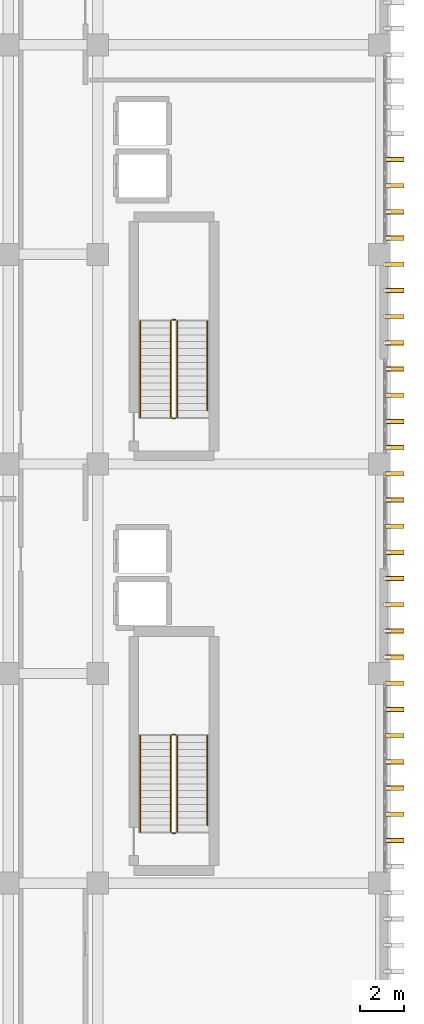
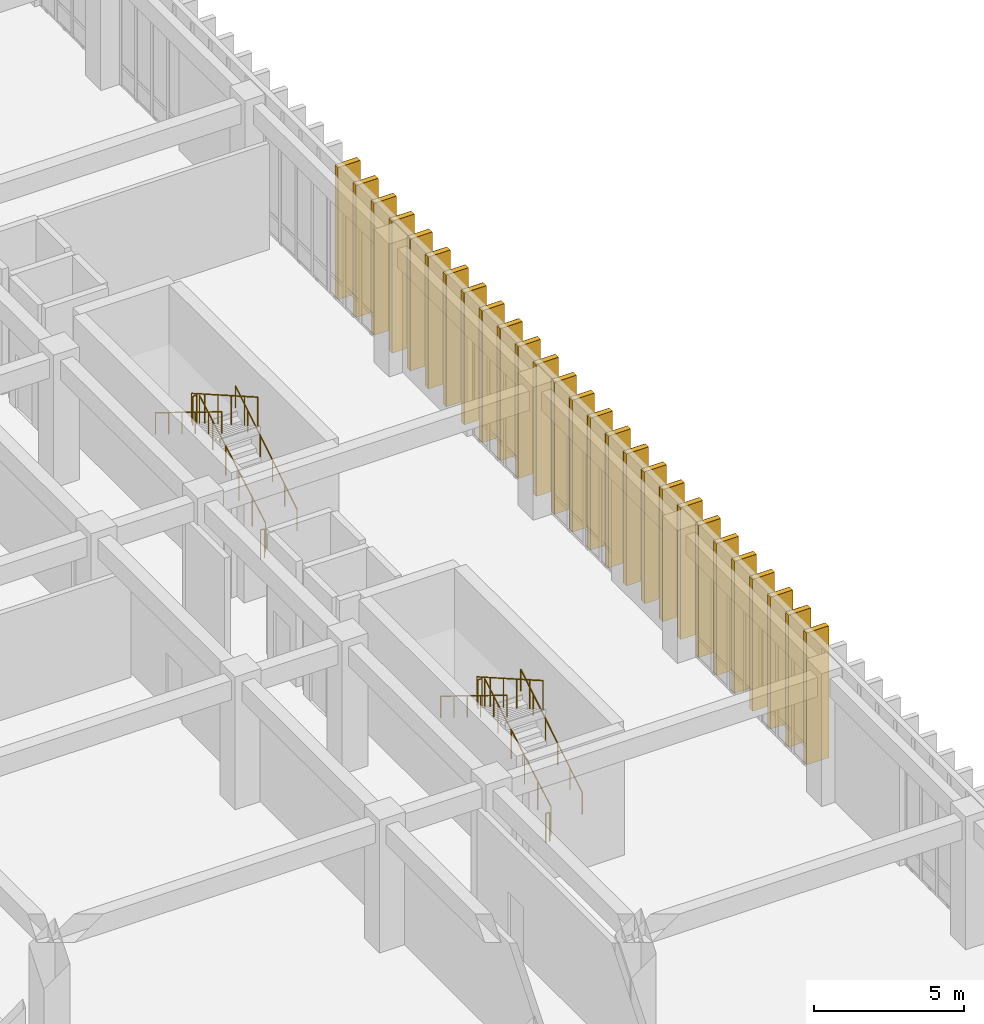
# One storey, part 130 of 134: 27 coverings, 27 shading devices, 12 railings.
"""IFC4 building model written with IfcOpenShell, lengths in metres."""

from ifc_helpers import new_model, si_unit, direction, frame, origin, origin_2d, place, context, subcontext, project, spatial, rectangle, circle, extrude, material, layer, layer_set, type_object, element, save


model = new_model("IFC4")

# Units and contexts
model_context = context("Model", 3, precision=1e-05, world=origin(), true_north=direction((0.0, 1.0)))
body_context = subcontext(model_context, "Body", "Model", "MODEL_VIEW")
ifc_project = project(units=[si_unit("LENGTHUNIT", "METRE"), si_unit("AREAUNIT", "SQUARE_METRE"), si_unit("VOLUMEUNIT", "CUBIC_METRE"), si_unit("PLANEANGLEUNIT", "RADIAN"), si_unit("MASSUNIT", "GRAM", prefix="KILO")], contexts=[model_context])

# Site, building, storey
site_placement = place(None, origin())
site = spatial("IfcSite", under=ifc_project, at=site_placement, CompositionType="ELEMENT")
building_placement = place(site_placement, origin())
building = spatial("IfcBuilding", under=site, at=building_placement, Name="Nakhvara Creek Congress Hotel", CompositionType="ELEMENT")
storey_placement = place(building_placement, frame((0.0, 0.0, 6.0)))
storey = spatial("IfcBuildingStorey", under=building, at=storey_placement, Name="L01", CompositionType="ELEMENT", Elevation=6.0)

# Coverings
ifc_material_1 = material(Name="Honed pale Omani limestone architectural cladding", Category="masonry")
ifc_layer = layer(ifc_material_1, 0.219970703125)
ifc_layer_set = layer_set([ifc_layer], Name="Honed pale Omani limestone architectural cladding")
covering_type = type_object("IfcCoveringType", Name="COV-FIN-850", PredefinedType="CLADDING", material=ifc_layer_set)
for number, where, z_axis, x_axis, name in (
    (1, (180.054931640625, 30.75, 0.0), (0.0, 0.0, 1.0), (0.0, 1.0, 0.0), "Pale Limestone Fin Cladding CF01-0702"),
    (2, (180.054931640625, 31.949951171875, 0.0), (0.0, 0.0, 1.0), (0.0, 1.0, 0.0), "Pale Limestone Fin Cladding CF01-0703"),
    (3, (180.054931640625, 33.14990234375, 0.0), (0.0, 0.0, 1.0), (0.0, 1.0, 0.0), "Pale Limestone Fin Cladding CF01-0704"),
    (4, (180.054931640625, 34.35009765625, 0.0), (0.0, 0.0, 1.0), (0.0, 1.0, 0.0), "Pale Limestone Fin Cladding CF01-0705"),
    (5, (180.054931640625, 35.550048828125, 0.0), (0.0, 0.0, 1.0), (0.0, 1.0, 0.0), "Pale Limestone Fin Cladding CF01-0706"),
    (6, (180.054931640625, 36.75, 0.0), (0.0, 0.0, 1.0), (0.0, 1.0, 0.0), "Pale Limestone Fin Cladding CF01-0707"),
    (7, (180.054931640625, 37.949951171875, 0.0), (0.0, 0.0, 1.0), (0.0, 1.0, 0.0), "Pale Limestone Fin Cladding CF01-0708"),
    (8, (180.054931640625, 39.14990234375, 0.0), (0.0, 0.0, 1.0), (0.0, 1.0, 0.0), "Pale Limestone Fin Cladding CF01-0709"),
    (9, (180.054931640625, 40.35009765625, 0.0), (0.0, 0.0, 1.0), (0.0, 1.0, 0.0), "Pale Limestone Fin Cladding CF01-0710"),
    (10, (180.054931640625, 41.550048828125, 0.0), (0.0, 0.0, 1.0), (0.0, 1.0, 0.0), "Pale Limestone Fin Cladding CF01-0711"),
    (11, (180.054931640625, 42.75, 0.0), (0.0, 0.0, 1.0), (0.0, 1.0, 0.0), "Pale Limestone Fin Cladding CF01-0712"),
    (12, (180.054931640625, 43.949951171875, 0.0), (0.0, 0.0, 1.0), (0.0, 1.0, 0.0), "Pale Limestone Fin Cladding CF01-0713"),
    (13, (180.054931640625, 45.14990234375, 0.0), (0.0, 0.0, 1.0), (0.0, 1.0, 0.0), "Pale Limestone Fin Cladding CF01-0714"),
    (14, (180.054931640625, 46.35009765625, 0.0), (0.0, 0.0, 1.0), (0.0, 1.0, 0.0), "Pale Limestone Fin Cladding CF01-0715"),
    (15, (180.054931640625, 47.550048828125, 0.0), (0.0, 0.0, 1.0), (0.0, 1.0, 0.0), "Pale Limestone Fin Cladding CF01-0716"),
    (16, (180.054931640625, 48.75, 0.0), (0.0, 0.0, 1.0), (0.0, 1.0, 0.0), "Pale Limestone Fin Cladding CF01-0717"),
    (17, (180.054931640625, 49.949951171875, 0.0), (0.0, 0.0, 1.0), (0.0, 1.0, 0.0), "Pale Limestone Fin Cladding CF01-0718"),
    (18, (180.054931640625, 51.14990234375, 0.0), (0.0, 0.0, 1.0), (0.0, 1.0, 0.0), "Pale Limestone Fin Cladding CF01-0719"),
    (19, (180.054931640625, 52.35009765625, 0.0), (0.0, 0.0, 1.0), (0.0, 1.0, 0.0), "Pale Limestone Fin Cladding CF01-0720"),
    (20, (180.054931640625, 53.550048828125, 0.0), (0.0, 0.0, 1.0), (0.0, 1.0, 0.0), "Pale Limestone Fin Cladding CF01-0721"),
    (21, (180.054931640625, 54.75, 0.0), (0.0, 0.0, 1.0), (0.0, 1.0, 0.0), "Pale Limestone Fin Cladding CF01-0722"),
    (22, (180.054931640625, 55.949951171875, 0.0), (0.0, 0.0, 1.0), (0.0, 1.0, 0.0), "Pale Limestone Fin Cladding CF01-0723"),
    (23, (180.054931640625, 57.14990234375, 0.0), (0.0, 0.0, 1.0), (0.0, 1.0, 0.0), "Pale Limestone Fin Cladding CF01-0724"),
    (24, (180.054931640625, 58.35009765625, 0.0), (0.0, 0.0, 1.0), (0.0, 1.0, 0.0), "Pale Limestone Fin Cladding CF01-0725"),
    (25, (180.054931640625, 59.550048828125, 0.0), (0.0, 0.0, 1.0), (0.0, 1.0, 0.0), "Pale Limestone Fin Cladding CF01-0726"),
    (26, (180.054931640625, 60.75, 0.0), (0.0, 0.0, 1.0), (0.0, 1.0, 0.0), "Pale Limestone Fin Cladding CF01-0727"),
    (27, (180.054931640625, 61.949951171875, 0.0), (0.0, 0.0, 1.0), (0.0, 1.0, 0.0), "Pale Limestone Fin Cladding CF01-0728"),
):
    element("IfcCovering", number, at=place(storey_placement, frame(where, z_axis=z_axis, x_axis=x_axis)), inside=storey, type_object=covering_type, Name=name, PredefinedType="CLADDING", context=body_context, shape_type="SweptSolid", body=[
        extrude(rectangle(XDim=0.219970703125, YDim=0.85009765625, at=origin_2d()), origin(), (0.0, 0.0, 1.0), 5.360107421875),
    ])

# Railings
ifc_material_2 = material(Name="Brushed stainless steel 316L", Category="steel")
railing_type_1 = type_object("IfcRailingType", Name="RL-GUARD-1200", PredefinedType="GUARDRAIL", material=ifc_material_2)
railing_1_placement = place(storey_placement, frame((170.0849609375, 31.139892578125, 0.179931640625)))
element("IfcRailing", 28, at=railing_1_placement, inside=storey, type_object=railing_type_1, Name="L01 ST03 stair guard 1", PredefinedType="GUARDRAIL", context=body_context, shape_type="SweptSolid", body=[
    extrude(circle(Radius=0.02392578125, at=origin_2d()), frame((0.0, 0.0126953125, 1.18310546875), z_axis=(0.0, 0.868249057775, 0.496128585825), x_axis=(-1.0, 0.0, 0.0)), (0.0, 0.0, 1.0), 5.050048828125),
    extrude(circle(Radius=0.02099609375, at=origin_2d()), origin(), (0.0, 0.0, 1.0), 1.1806640625),
    extrude(circle(Radius=0.02099609375, at=origin_2d()), frame((0.0, 0.882080078125, 0.50390625)), (0.0, 0.0, 1.0), 1.1806640625),
    extrude(circle(Radius=0.02099609375, at=origin_2d()), frame((0.0, 1.76416015625, 1.008056640625)), (0.0, 0.0, 1.0), 1.1806640625),
    extrude(circle(Radius=0.02099609375, at=origin_2d()), frame((0.0, 2.64599609375, 1.511962890625)), (0.0, 0.0, 1.0), 1.1806640625),
    extrude(circle(Radius=0.02099609375, at=origin_2d()), frame((0.0, 3.528076171875, 2.01611328125)), (0.0, 0.0, 1.0), 1.1806640625),
    extrude(circle(Radius=0.02099609375, at=origin_2d()), frame((0.0, 4.41015625, 2.52001953125)), (0.0, 0.0, 1.0), 1.1806640625),
])
railing_2_placement = place(storey_placement, frame((170.010009765625, 35.60009765625, 2.699951171875)))
element("IfcRailing", 29, at=railing_2_placement, inside=storey, type_object=railing_type_1, Name="L01 ST03 stair guard 2", PredefinedType="GUARDRAIL", context=body_context, shape_type="SweptSolid", body=[
    extrude(circle(Radius=0.02392578125, at=origin_2d()), frame((-0.0146484375, 0.0, 1.17578125), z_axis=(-1.0, 0.0, 0.0), x_axis=(0.0, -1.0, 0.0)), (0.0, 0.0, 1.0), 0.12060546875),
    extrude(circle(Radius=0.02099609375, at=origin_2d()), origin(), (0.0, 0.0, 1.0), 1.1806640625),
    extrude(circle(Radius=0.02099609375, at=origin_2d()), frame((-0.14990234375, 0.0, 0.0)), (0.0, 0.0, 1.0), 1.1806640625),
])
railing_3_placement = place(storey_placement, frame((169.784912109375, 35.550048828125, 2.8798828125)))
element("IfcRailing", 30, at=railing_3_placement, inside=storey, type_object=railing_type_1, Name="L01 ST03 stair guard 3", PredefinedType="GUARDRAIL", context=body_context, shape_type="SweptSolid", body=[
    extrude(circle(Radius=0.02392578125, at=origin_2d()), frame((0.0, -0.0126953125, 1.18310546875), z_axis=(0.0, -0.868249057775, 0.496128585825), x_axis=(1.0, 0.0, 0.0)), (0.0, 0.0, 1.0), 5.050048828125),
    extrude(circle(Radius=0.02099609375, at=origin_2d()), origin(), (0.0, 0.0, 1.0), 1.1806640625),
    extrude(circle(Radius=0.02099609375, at=origin_2d()), frame((0.0, -0.882080078125, 0.50390625)), (0.0, 0.0, 1.0), 1.1806640625),
    extrude(circle(Radius=0.02099609375, at=origin_2d()), frame((0.0, -1.76416015625, 1.008056640625)), (0.0, 0.0, 1.0), 1.1806640625),
    extrude(circle(Radius=0.02099609375, at=origin_2d()), frame((0.0, -2.64599609375, 1.511962890625)), (0.0, 0.0, 1.0), 1.1806640625),
    extrude(circle(Radius=0.02099609375, at=origin_2d()), frame((0.0, -3.528076171875, 2.01611328125)), (0.0, 0.0, 1.0), 1.1806640625),
    extrude(circle(Radius=0.02099609375, at=origin_2d()), frame((0.0, -4.41015625, 2.52001953125)), (0.0, 0.0, 1.0), 1.1806640625),
])
railing_4_placement = place(storey_placement, frame((170.010009765625, 31.090087890625, 0.0)))
element("IfcRailing", 31, at=railing_4_placement, inside=storey, type_object=railing_type_1, Name="L01 ST03 stair guard 4", PredefinedType="GUARDRAIL", context=body_context, shape_type="SweptSolid", body=[
    extrude(circle(Radius=0.02392578125, at=origin_2d()), frame((-0.0146484375, 0.0, 1.17578125), z_axis=(-1.0, 0.0, 0.0), x_axis=(0.0, -1.0, 0.0)), (0.0, 0.0, 1.0), 0.12060546875),
    extrude(circle(Radius=0.02099609375, at=origin_2d()), origin(), (0.0, 0.0, 1.0), 1.1806640625),
    extrude(circle(Radius=0.02099609375, at=origin_2d()), frame((-0.14990234375, 0.0, 0.0)), (0.0, 0.0, 1.0), 1.1806640625),
])
railing_5_placement = place(storey_placement, frame((170.0849609375, 50.139892578125, 0.179931640625)))
element("IfcRailing", 32, at=railing_5_placement, inside=storey, type_object=railing_type_1, Name="L01 ST04 stair guard 1", PredefinedType="GUARDRAIL", context=body_context, shape_type="SweptSolid", body=[
    extrude(circle(Radius=0.02392578125, at=origin_2d()), frame((0.0, 0.0126953125, 1.18310546875), z_axis=(0.0, 0.868249057775, 0.496128585825), x_axis=(-1.0, 0.0, 0.0)), (0.0, 0.0, 1.0), 5.050048828125),
    extrude(circle(Radius=0.02099609375, at=origin_2d()), origin(), (0.0, 0.0, 1.0), 1.1806640625),
    extrude(circle(Radius=0.02099609375, at=origin_2d()), frame((0.0, 0.882080078125, 0.50390625)), (0.0, 0.0, 1.0), 1.1806640625),
    extrude(circle(Radius=0.02099609375, at=origin_2d()), frame((0.0, 1.76416015625, 1.008056640625)), (0.0, 0.0, 1.0), 1.1806640625),
    extrude(circle(Radius=0.02099609375, at=origin_2d()), frame((0.0, 2.64599609375, 1.511962890625)), (0.0, 0.0, 1.0), 1.1806640625),
    extrude(circle(Radius=0.02099609375, at=origin_2d()), frame((0.0, 3.528076171875, 2.01611328125)), (0.0, 0.0, 1.0), 1.1806640625),
    extrude(circle(Radius=0.02099609375, at=origin_2d()), frame((0.0, 4.41015625, 2.52001953125)), (0.0, 0.0, 1.0), 1.1806640625),
])
railing_6_placement = place(storey_placement, frame((170.010009765625, 54.60009765625, 2.699951171875)))
element("IfcRailing", 33, at=railing_6_placement, inside=storey, type_object=railing_type_1, Name="L01 ST04 stair guard 2", PredefinedType="GUARDRAIL", context=body_context, shape_type="SweptSolid", body=[
    extrude(circle(Radius=0.02392578125, at=origin_2d()), frame((-0.0146484375, 0.0, 1.17578125), z_axis=(-1.0, 0.0, 0.0), x_axis=(0.0, -1.0, 0.0)), (0.0, 0.0, 1.0), 0.12060546875),
    extrude(circle(Radius=0.02099609375, at=origin_2d()), origin(), (0.0, 0.0, 1.0), 1.1806640625),
    extrude(circle(Radius=0.02099609375, at=origin_2d()), frame((-0.14990234375, 0.0, 0.0)), (0.0, 0.0, 1.0), 1.1806640625),
])
railing_7_placement = place(storey_placement, frame((169.784912109375, 54.550048828125, 2.8798828125)))
element("IfcRailing", 34, at=railing_7_placement, inside=storey, type_object=railing_type_1, Name="L01 ST04 stair guard 3", PredefinedType="GUARDRAIL", context=body_context, shape_type="SweptSolid", body=[
    extrude(circle(Radius=0.02392578125, at=origin_2d()), frame((0.0, -0.0126953125, 1.18310546875), z_axis=(0.0, -0.868249057775, 0.496128585825), x_axis=(1.0, 0.0, 0.0)), (0.0, 0.0, 1.0), 5.050048828125),
    extrude(circle(Radius=0.02099609375, at=origin_2d()), origin(), (0.0, 0.0, 1.0), 1.1806640625),
    extrude(circle(Radius=0.02099609375, at=origin_2d()), frame((0.0, -0.882080078125, 0.50390625)), (0.0, 0.0, 1.0), 1.1806640625),
    extrude(circle(Radius=0.02099609375, at=origin_2d()), frame((0.0, -1.76416015625, 1.008056640625)), (0.0, 0.0, 1.0), 1.1806640625),
    extrude(circle(Radius=0.02099609375, at=origin_2d()), frame((0.0, -2.64599609375, 1.511962890625)), (0.0, 0.0, 1.0), 1.1806640625),
    extrude(circle(Radius=0.02099609375, at=origin_2d()), frame((0.0, -3.528076171875, 2.01611328125)), (0.0, 0.0, 1.0), 1.1806640625),
    extrude(circle(Radius=0.02099609375, at=origin_2d()), frame((0.0, -4.41015625, 2.52001953125)), (0.0, 0.0, 1.0), 1.1806640625),
])
railing_8_placement = place(storey_placement, frame((170.010009765625, 50.090087890625, 0.0)))
element("IfcRailing", 35, at=railing_8_placement, inside=storey, type_object=railing_type_1, Name="L01 ST04 stair guard 4", PredefinedType="GUARDRAIL", context=body_context, shape_type="SweptSolid", body=[
    extrude(circle(Radius=0.02392578125, at=origin_2d()), frame((-0.0146484375, 0.0, 1.17578125), z_axis=(-1.0, 0.0, 0.0), x_axis=(0.0, -1.0, 0.0)), (0.0, 0.0, 1.0), 0.12060546875),
    extrude(circle(Radius=0.02099609375, at=origin_2d()), origin(), (0.0, 0.0, 1.0), 1.1806640625),
    extrude(circle(Radius=0.02099609375, at=origin_2d()), frame((-0.14990234375, 0.0, 0.0)), (0.0, 0.0, 1.0), 1.1806640625),
])
railing_type_2 = type_object("IfcRailingType", Name="RL-HAND-900", PredefinedType="HANDRAIL", material=ifc_material_2)
railing_9_placement = place(storey_placement, frame((171.47509765625, 31.455078125, 0.360107421875)))
element("IfcRailing", 36, at=railing_9_placement, inside=storey, type_object=railing_type_2, Name="L01 ST03 stair handrail 1", PredefinedType="HANDRAIL", context=body_context, shape_type="SweptSolid", body=[
    extrude(circle(Radius=0.02392578125, at=origin_2d()), frame((0.0, 0.012451171875, 0.883544921875), z_axis=(0.0, 0.850634571024, 0.52575738376), x_axis=(-1.0, 0.0, 0.0)), (0.0, 0.0, 1.0), 4.78466796875),
    extrude(circle(Radius=0.02099609375, at=origin_2d()), origin(), (0.0, 0.0, 1.0), 0.880615234375),
    extrude(circle(Radius=0.02099609375, at=origin_2d()), frame((0.0, 0.819091796875, 0.506103515625)), (0.0, 0.0, 1.0), 0.880615234375),
    extrude(circle(Radius=0.02099609375, at=origin_2d()), frame((0.0, 1.637939453125, 1.012451171875)), (0.0, 0.0, 1.0), 0.880615234375),
    extrude(circle(Radius=0.02099609375, at=origin_2d()), frame((0.0, 2.45703125, 1.5185546875)), (0.0, 0.0, 1.0), 0.880615234375),
    extrude(circle(Radius=0.02099609375, at=origin_2d()), frame((0.0, 3.27587890625, 2.02490234375)), (0.0, 0.0, 1.0), 0.880615234375),
    extrude(circle(Radius=0.02099609375, at=origin_2d()), frame((0.0, 4.094970703125, 2.531005859375)), (0.0, 0.0, 1.0), 0.880615234375),
])
railing_10_placement = place(storey_placement, frame((168.39501953125, 35.550048828125, 2.8798828125)))
element("IfcRailing", 37, at=railing_10_placement, inside=storey, type_object=railing_type_2, Name="L01 ST03 stair handrail 2", PredefinedType="HANDRAIL", context=body_context, shape_type="SweptSolid", body=[
    extrude(circle(Radius=0.02392578125, at=origin_2d()), frame((0.0, -0.012451171875, 0.883544921875), z_axis=(0.0, -0.851896254754, 0.523710579553), x_axis=(1.0, 0.0, 0.0)), (0.0, 0.0, 1.0), 5.1474609375),
    extrude(circle(Radius=0.02099609375, at=origin_2d()), origin(), (0.0, 0.0, 1.0), 0.880615234375),
    extrude(circle(Radius=0.02099609375, at=origin_2d()), frame((0.0, -0.882080078125, 0.542236328125)), (0.0, 0.0, 1.0), 0.880615234375),
    extrude(circle(Radius=0.02099609375, at=origin_2d()), frame((0.0, -1.76416015625, 1.08447265625)), (0.0, 0.0, 1.0), 0.880615234375),
    extrude(circle(Radius=0.02099609375, at=origin_2d()), frame((0.0, -2.64599609375, 1.626708984375)), (0.0, 0.0, 1.0), 0.880615234375),
    extrude(circle(Radius=0.02099609375, at=origin_2d()), frame((0.0, -3.528076171875, 2.1689453125)), (0.0, 0.0, 1.0), 0.880615234375),
    extrude(circle(Radius=0.02099609375, at=origin_2d()), frame((0.0, -4.41015625, 2.711181640625)), (0.0, 0.0, 1.0), 0.880615234375),
])
railing_11_placement = place(storey_placement, frame((171.47509765625, 50.455078125, 0.360107421875)))
element("IfcRailing", 38, at=railing_11_placement, inside=storey, type_object=railing_type_2, Name="L01 ST04 stair handrail 1", PredefinedType="HANDRAIL", context=body_context, shape_type="SweptSolid", body=[
    extrude(circle(Radius=0.02392578125, at=origin_2d()), frame((0.0, 0.012451171875, 0.883544921875), z_axis=(0.0, 0.850634571024, 0.52575738376), x_axis=(-1.0, 0.0, 0.0)), (0.0, 0.0, 1.0), 4.78466796875),
    extrude(circle(Radius=0.02099609375, at=origin_2d()), origin(), (0.0, 0.0, 1.0), 0.880615234375),
    extrude(circle(Radius=0.02099609375, at=origin_2d()), frame((0.0, 0.819091796875, 0.506103515625)), (0.0, 0.0, 1.0), 0.880615234375),
    extrude(circle(Radius=0.02099609375, at=origin_2d()), frame((0.0, 1.637939453125, 1.012451171875)), (0.0, 0.0, 1.0), 0.880615234375),
    extrude(circle(Radius=0.02099609375, at=origin_2d()), frame((0.0, 2.45703125, 1.5185546875)), (0.0, 0.0, 1.0), 0.880615234375),
    extrude(circle(Radius=0.02099609375, at=origin_2d()), frame((0.0, 3.27587890625, 2.02490234375)), (0.0, 0.0, 1.0), 0.880615234375),
    extrude(circle(Radius=0.02099609375, at=origin_2d()), frame((0.0, 4.094970703125, 2.531005859375)), (0.0, 0.0, 1.0), 0.880615234375),
])
railing_12_placement = place(storey_placement, frame((168.39501953125, 54.550048828125, 2.8798828125)))
element("IfcRailing", 39, at=railing_12_placement, inside=storey, type_object=railing_type_2, Name="L01 ST04 stair handrail 2", PredefinedType="HANDRAIL", context=body_context, shape_type="SweptSolid", body=[
    extrude(circle(Radius=0.02392578125, at=origin_2d()), frame((0.0, -0.012451171875, 0.883544921875), z_axis=(0.0, -0.851896254754, 0.523710579553), x_axis=(1.0, 0.0, 0.0)), (0.0, 0.0, 1.0), 5.1474609375),
    extrude(circle(Radius=0.02099609375, at=origin_2d()), origin(), (0.0, 0.0, 1.0), 0.880615234375),
    extrude(circle(Radius=0.02099609375, at=origin_2d()), frame((0.0, -0.882080078125, 0.542236328125)), (0.0, 0.0, 1.0), 0.880615234375),
    extrude(circle(Radius=0.02099609375, at=origin_2d()), frame((0.0, -1.76416015625, 1.08447265625)), (0.0, 0.0, 1.0), 0.880615234375),
    extrude(circle(Radius=0.02099609375, at=origin_2d()), frame((0.0, -2.64599609375, 1.626708984375)), (0.0, 0.0, 1.0), 0.880615234375),
    extrude(circle(Radius=0.02099609375, at=origin_2d()), frame((0.0, -3.528076171875, 2.1689453125)), (0.0, 0.0, 1.0), 0.880615234375),
    extrude(circle(Radius=0.02099609375, at=origin_2d()), frame((0.0, -4.41015625, 2.711181640625)), (0.0, 0.0, 1.0), 0.880615234375),
])

# Shading devices
ifc_material_3 = material(Name="Honed pale Omani limestone cladding on stainless steel spine", Category="masonry")
shading_device_type = type_object("IfcShadingDeviceType", Name="SHD-FIN-850X4700", PredefinedType="USERDEFINED", material=ifc_material_3)
for number, where, z_axis, x_axis, name in (
    (40, (180.054931640625, 30.75, 0.0), (0.0, 0.0, 1.0), (0.0, 1.0, 0.0), "Limestone Solar Fin FN02-0567"),
    (41, (180.054931640625, 31.949951171875, 0.0), (0.0, 0.0, 1.0), (0.0, 1.0, 0.0), "Limestone Solar Fin FN02-0568"),
    (42, (180.054931640625, 33.14990234375, 0.0), (0.0, 0.0, 1.0), (0.0, 1.0, 0.0), "Limestone Solar Fin FN02-0569"),
    (43, (180.054931640625, 34.35009765625, 0.0), (0.0, 0.0, 1.0), (0.0, 1.0, 0.0), "Limestone Solar Fin FN02-0570"),
    (44, (180.054931640625, 35.550048828125, 0.0), (0.0, 0.0, 1.0), (0.0, 1.0, 0.0), "Limestone Solar Fin FN02-0571"),
    (45, (180.054931640625, 36.75, 0.0), (0.0, 0.0, 1.0), (0.0, 1.0, 0.0), "Limestone Solar Fin FN02-0572"),
    (46, (180.054931640625, 37.949951171875, 0.0), (0.0, 0.0, 1.0), (0.0, 1.0, 0.0), "Limestone Solar Fin FN02-0573"),
    (47, (180.054931640625, 39.14990234375, 0.0), (0.0, 0.0, 1.0), (0.0, 1.0, 0.0), "Limestone Solar Fin FN02-0574"),
    (48, (180.054931640625, 40.35009765625, 0.0), (0.0, 0.0, 1.0), (0.0, 1.0, 0.0), "Limestone Solar Fin FN02-0575"),
    (49, (180.054931640625, 41.550048828125, 0.0), (0.0, 0.0, 1.0), (0.0, 1.0, 0.0), "Limestone Solar Fin FN02-0576"),
    (50, (180.054931640625, 42.75, 0.0), (0.0, 0.0, 1.0), (0.0, 1.0, 0.0), "Limestone Solar Fin FN02-0577"),
    (51, (180.054931640625, 43.949951171875, 0.0), (0.0, 0.0, 1.0), (0.0, 1.0, 0.0), "Limestone Solar Fin FN02-0578"),
    (52, (180.054931640625, 45.14990234375, 0.0), (0.0, 0.0, 1.0), (0.0, 1.0, 0.0), "Limestone Solar Fin FN02-0579"),
    (53, (180.054931640625, 46.35009765625, 0.0), (0.0, 0.0, 1.0), (0.0, 1.0, 0.0), "Limestone Solar Fin FN02-0580"),
    (54, (180.054931640625, 47.550048828125, 0.0), (0.0, 0.0, 1.0), (0.0, 1.0, 0.0), "Limestone Solar Fin FN02-0581"),
    (55, (180.054931640625, 48.75, 0.0), (0.0, 0.0, 1.0), (0.0, 1.0, 0.0), "Limestone Solar Fin FN02-0582"),
    (56, (180.054931640625, 49.949951171875, 0.0), (0.0, 0.0, 1.0), (0.0, 1.0, 0.0), "Limestone Solar Fin FN02-0583"),
    (57, (180.054931640625, 51.14990234375, 0.0), (0.0, 0.0, 1.0), (0.0, 1.0, 0.0), "Limestone Solar Fin FN02-0584"),
    (58, (180.054931640625, 52.35009765625, 0.0), (0.0, 0.0, 1.0), (0.0, 1.0, 0.0), "Limestone Solar Fin FN02-0585"),
    (59, (180.054931640625, 53.550048828125, 0.0), (0.0, 0.0, 1.0), (0.0, 1.0, 0.0), "Limestone Solar Fin FN02-0586"),
    (60, (180.054931640625, 54.75, 0.0), (0.0, 0.0, 1.0), (0.0, 1.0, 0.0), "Limestone Solar Fin FN02-0587"),
    (61, (180.054931640625, 55.949951171875, 0.0), (0.0, 0.0, 1.0), (0.0, 1.0, 0.0), "Limestone Solar Fin FN02-0588"),
    (62, (180.054931640625, 57.14990234375, 0.0), (0.0, 0.0, 1.0), (0.0, 1.0, 0.0), "Limestone Solar Fin FN02-0589"),
    (63, (180.054931640625, 58.35009765625, 0.0), (0.0, 0.0, 1.0), (0.0, 1.0, 0.0), "Limestone Solar Fin FN02-0590"),
    (64, (180.054931640625, 59.550048828125, 0.0), (0.0, 0.0, 1.0), (0.0, 1.0, 0.0), "Limestone Solar Fin FN02-0591"),
    (65, (180.054931640625, 60.75, 0.0), (0.0, 0.0, 1.0), (0.0, 1.0, 0.0), "Limestone Solar Fin FN02-0592"),
    (66, (180.054931640625, 61.949951171875, 0.0), (0.0, 0.0, 1.0), (0.0, 1.0, 0.0), "Limestone Solar Fin FN02-0593"),
):
    element("IfcShadingDevice", number, at=place(storey_placement, frame(where, z_axis=z_axis, x_axis=x_axis)), inside=storey, type_object=shading_device_type, Name=name, ObjectType="FIN", PredefinedType="USERDEFINED", context=body_context, shape_type="SweptSolid", body=[
        extrude(rectangle(XDim=0.199951171875, YDim=0.85009765625, at=origin_2d()), origin(), (0.0, 0.0, 1.0), 5.360107421875),
    ])

save(model, "model.ifc")
